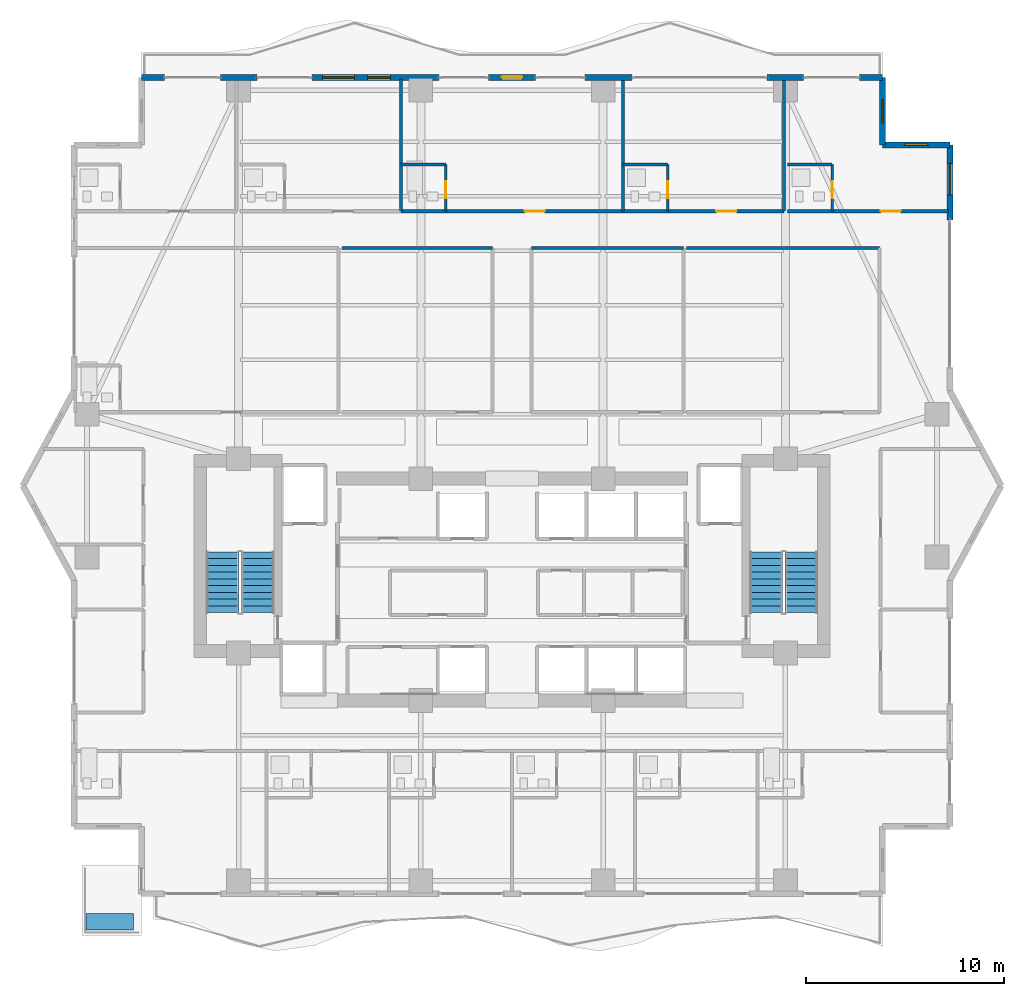
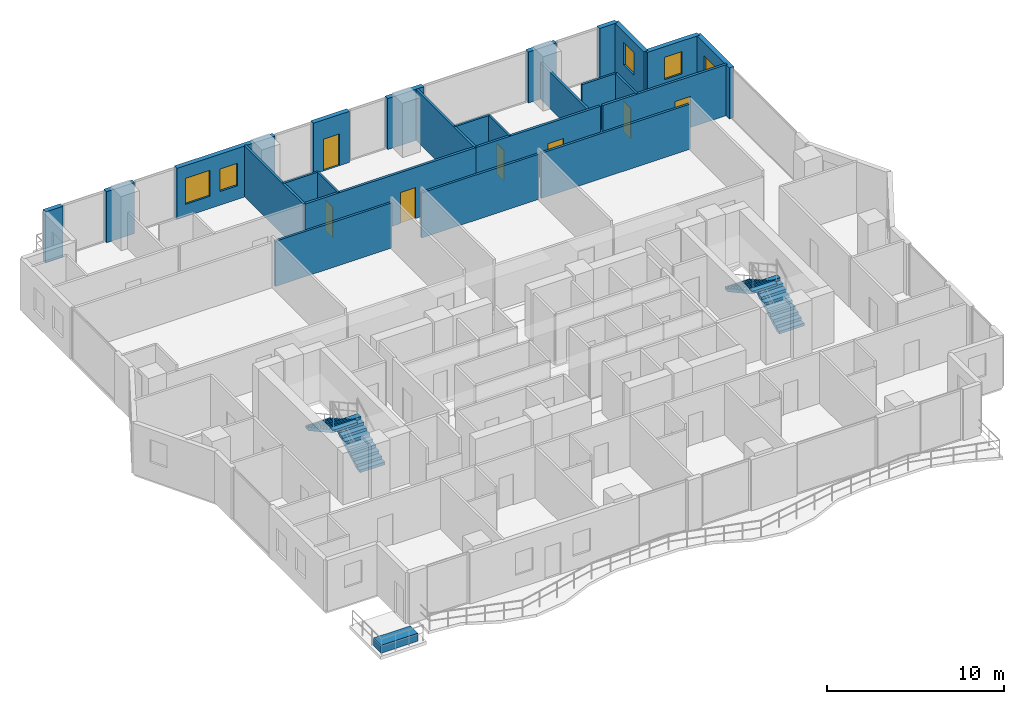
# One storey, part 28 of 32: 25 walls, 7 doors, 5 windows, 4 stair flights, 1 building element part, 12 openings, 2 elements without a shape of their own.
"""IFC4 building model written with IfcOpenShell, lengths in metres."""

from ifc_helpers import new_model, si_unit, direction, frame, frame_2d, origin, origin_2d, place, context, subcontext, project, spatial, polyline, rectangle, outline, extrude, material, layer, layer_set, type_object, element, fill, aggregate, save


model = new_model("IFC4")

# Units and contexts
model_context = context("Model", 3, precision=1e-05, world=origin(), true_north=direction((0.0, 1.0)))
body_context = subcontext(model_context, "Body", "Model", "MODEL_VIEW")
ifc_project = project(units=[si_unit("LENGTHUNIT", "METRE"), si_unit("AREAUNIT", "SQUARE_METRE"), si_unit("VOLUMEUNIT", "CUBIC_METRE"), si_unit("PLANEANGLEUNIT", "RADIAN"), si_unit("MASSUNIT", "GRAM", prefix="KILO")], contexts=[model_context])

# Site, building, storey
site_placement = place(None, origin())
site = spatial("IfcSite", under=ifc_project, at=site_placement, CompositionType="ELEMENT")
building_placement = place(site_placement, origin())
building = spatial("IfcBuilding", under=site, at=building_placement, Name="Zuhayl Quay Hotel", CompositionType="ELEMENT")
storey_placement = place(building_placement, frame((0.0, 0.0, 192.39990234375)))
storey = spatial("IfcBuildingStorey", under=building, at=storey_placement, Name="L48", CompositionType="ELEMENT", Elevation=192.39990234375)

# Walls
ifc_material_1 = material(Name="Precast concrete C45/55", Category="concrete")
ifc_layer_1 = layer(ifc_material_1, 0.300048828125, Name="Precast concrete C45/55", Category="concrete")
ifc_layer_set_1 = layer_set([ifc_layer_1], Name="Precast concrete C45/55")
wall_type_1 = type_object("IfcWallType", Name="WL_EXT_300", PredefinedType="STANDARD", material=ifc_layer_set_1)
wall_1_placement = place(storey_placement, frame((-18.699951171875, 33.60009765625, 0.0), z_axis=(0.0, 0.0, 1.0), x_axis=(1.0, 0.0, 0.0)))
element("IfcWall", 1, at=wall_1_placement, inside=storey, type_object=wall_type_1, Name="L48 Exterior Precast Wall ENV_L48_N_EW1", PredefinedType="STANDARD", context=body_context, shape_type="SweptSolid", body=[
    extrude(rectangle(XDim=1.14990234375, YDim=0.300048828125, at=frame_2d((0.574951171875, 0.0))), origin(), (0.0, 0.0, 1.0), 3.530029296875),
])
wall_2_placement = place(storey_placement, frame((-14.719970703125, 33.60009765625, 0.0), z_axis=(0.0, 0.0, 1.0), x_axis=(1.0, 0.0, 0.0)))
element("IfcWall", 2, at=wall_2_placement, inside=storey, type_object=wall_type_1, Name="L48 Exterior Precast Wall ENV_L48_N_EW2", PredefinedType="STANDARD", context=body_context, shape_type="SweptSolid", body=[
    extrude(rectangle(XDim=1.840087890625, YDim=0.300048828125, at=frame_2d((0.919921875, 0.0))), origin(), (0.0, 0.0, 1.0), 3.530029296875),
])

# Wall, openings, windows
wall_3_placement = place(storey_placement, frame((-10.10400390625, 33.60009765625, 0.0), z_axis=(0.0, 0.0, 1.0), x_axis=(1.0, 0.0, 0.0)))
wall_3 = element("IfcWall", 3, at=wall_3_placement, inside=storey, type_object=wall_type_1, Name="L48 Exterior Precast Wall ENV_L48_N_EW3", PredefinedType="STANDARD", context=body_context, shape_type="SweptSolid", body=[
    extrude(rectangle(XDim=6.424072265625, YDim=0.300048828125, at=frame_2d((3.2119140625, 0.0))), origin(), (0.0, 0.0, 1.0), 3.530029296875),
])
opening_1_placement = place(wall_3_placement, frame((0.550048828125, 0.0, 0.85009765625)))
opening_1 = element("IfcOpeningElement", 4, at=opening_1_placement, cuts=wall_3, Name="Opening W01", PredefinedType="OPENING", context=body_context, shape_type="SweptSolid", body=[
    extrude(rectangle(XDim=1.60009765625, YDim=1.800048828125, at=frame_2d((0.800048828125, 0.89990234375))), frame((0.0, 0.159912109375, 0.0), z_axis=(0.0, -1.0, 0.0), x_axis=(1.0, 0.0, 0.0)), (0.0, 0.0, 1.0), 0.320068359375),
])
opening_2_placement = place(wall_3_placement, frame((2.81689453125, 0.0, 0.949951171875)))
opening_2 = element("IfcOpeningElement", 5, at=opening_2_placement, cuts=wall_3, Name="Opening W01N", PredefinedType="OPENING", context=body_context, shape_type="SweptSolid", body=[
    extrude(rectangle(XDim=1.14990234375, YDim=1.550048828125, at=frame_2d((0.574951171875, 0.77490234375))), frame((0.0, 0.159912109375, 0.0), z_axis=(0.0, -1.0, 0.0), x_axis=(1.0, 0.0, 0.0)), (0.0, 0.0, 1.0), 0.320068359375),
])
ifc_material_2 = material(Name="Dark Ceramic-Fritted Solar Glass", Category="glass")
window_type_1 = type_object("IfcWindowType", Name="WN_NOTCH_1350", PartitioningType="SINGLE_PANEL", PredefinedType="WINDOW", material=ifc_material_2)
window_1_placement = place(opening_2_placement, origin())
window_1 = element("IfcWindow", 6, at=window_1_placement, inside=storey, type_object=window_type_1, Name="L48 Operable Facade Window 3-1", OverallHeight=1.550048828125, OverallWidth=1.14990234375, PartitioningType="SINGLE_PANEL", PredefinedType="WINDOW", context=body_context, shape_type="SweptSolid", body=[
    extrude(rectangle(XDim=1.14990234375, YDim=1.550048828125, at=frame_2d((0.574951171875, 0.77490234375))), frame((0.0, 0.030029296875, 0.0), z_axis=(0.0, -1.0, 0.0), x_axis=(1.0, 0.0, 0.0)), (0.0, 0.0, 1.0), 0.06005859375),
])
fill(opening_2, window_1)
window_type_2 = type_object("IfcWindowType", Name="WN_OPERABLE_1600", PartitioningType="DOUBLE_PANEL_VERTICAL", PredefinedType="WINDOW", material=ifc_material_2)
window_2_placement = place(opening_1_placement, origin())
window_2 = element("IfcWindow", 7, at=window_2_placement, inside=storey, type_object=window_type_2, Name="L48 North Operable Casement Window", OverallHeight=1.800048828125, OverallWidth=1.60009765625, PartitioningType="SINGLE_PANEL", PredefinedType="WINDOW", context=body_context, shape_type="SweptSolid", body=[
    extrude(rectangle(XDim=1.60009765625, YDim=1.800048828125, at=frame_2d((0.800048828125, 0.89990234375))), frame((0.0, 0.030029296875, 0.0), z_axis=(0.0, -1.0, 0.0), x_axis=(1.0, 0.0, 0.0)), (0.0, 0.0, 1.0), 0.06005859375),
])
fill(opening_1, window_2)

# Wall, opening, door
wall_4_placement = place(storey_placement, frame((-1.175048828125, 33.60009765625, 0.0), z_axis=(0.0, 0.0, 1.0), x_axis=(1.0, 0.0, 0.0)))
wall_4 = element("IfcWall", 8, at=wall_4_placement, inside=storey, type_object=wall_type_1, Name="L48 Exterior Precast Wall ENV_L48_N_EW4", PredefinedType="STANDARD", context=body_context, shape_type="SweptSolid", body=[
    extrude(rectangle(XDim=2.35009765625, YDim=0.300048828125, at=frame_2d((1.175048828125, 0.0))), origin(), (0.0, 0.0, 1.0), 3.530029296875),
])
opening_3_placement = place(wall_4_placement, frame((0.64990234375, 0.0, 0.0)))
opening_3 = element("IfcOpeningElement", 9, at=opening_3_placement, cuts=wall_4, Name="Opening DG1", PredefinedType="OPENING", context=body_context, shape_type="SweptSolid", body=[
    extrude(rectangle(XDim=1.050048828125, YDim=2.199951171875, at=frame_2d((0.52490234375, 1.10009765625))), frame((0.0, 0.159912109375, 0.0), z_axis=(0.0, -1.0, 0.0), x_axis=(1.0, 0.0, 0.0)), (0.0, 0.0, 1.0), 0.320068359375),
])
ifc_material_3 = material(Name="Anodised Aluminium and Dark Solar Glass", Category="aluminium")
door_type_1 = type_object("IfcDoorType", Name="DR_EXT_TERR_1050", OperationType="NOTDEFINED", PredefinedType="DOOR", material=ifc_material_3)
door_1_placement = place(opening_3_placement, origin())
door_1 = element("IfcDoor", 10, at=door_1_placement, inside=storey, type_object=door_type_1, Name="L48 North Rippling Balcony Door", OperationType="SINGLE_SWING_LEFT", OverallHeight=2.199951171875, OverallWidth=1.050048828125, PredefinedType="DOOR", context=body_context, shape_type="SweptSolid", body=[
    extrude(rectangle(XDim=1.050048828125, YDim=2.199951171875, at=frame_2d((0.52490234375, 1.10009765625))), frame((0.0, 0.02490234375, 0.0), z_axis=(0.0, -1.0, 0.0), x_axis=(1.0, 0.0, 0.0)), (0.0, 0.0, 1.0), 0.050048828125),
])
fill(opening_3, door_1)

# Walls
wall_5_placement = place(storey_placement, frame((3.679931640625, 33.60009765625, 0.0), z_axis=(0.0, 0.0, 1.0), x_axis=(1.0, 0.0, 0.0)))
element("IfcWall", 11, at=wall_5_placement, inside=storey, type_object=wall_type_1, Name="L48 Exterior Precast Wall ENV_L48_N_EW5", PredefinedType="STANDARD", context=body_context, shape_type="SweptSolid", body=[
    extrude(rectangle(XDim=2.3701171875, YDim=0.300048828125, at=frame_2d((1.18505859375, 0.0))), origin(), (0.0, 0.0, 1.0), 3.530029296875),
])
wall_6_placement = place(storey_placement, frame((12.8798828125, 33.60009765625, 0.0), z_axis=(0.0, 0.0, 1.0), x_axis=(1.0, 0.0, 0.0)))
element("IfcWall", 12, at=wall_6_placement, inside=storey, type_object=wall_type_1, Name="L48 Exterior Precast Wall ENV_L48_N_EW6", PredefinedType="STANDARD", context=body_context, shape_type="SweptSolid", body=[
    extrude(rectangle(XDim=1.840087890625, YDim=0.300048828125, at=frame_2d((0.919921875, 0.0))), origin(), (0.0, 0.0, 1.0), 3.530029296875),
])
wall_7_placement = place(storey_placement, frame((17.550048828125, 33.60009765625, 0.0), z_axis=(0.0, 0.0, 1.0), x_axis=(1.0, 0.0, 0.0)))
element("IfcWall", 13, at=wall_7_placement, inside=storey, type_object=wall_type_1, Name="L48 Exterior Precast Wall ENV_L48_N_EW7", PredefinedType="STANDARD", context=body_context, shape_type="SweptSolid", body=[
    extrude(rectangle(XDim=1.14990234375, YDim=0.300048828125, at=frame_2d((0.574951171875, 0.0))), origin(), (0.0, 0.0, 1.0), 3.530029296875),
])

# Wall, opening, window
wall_8_placement = place(storey_placement, frame((18.699951171875, 33.60009765625, 0.0), z_axis=(0.0, 0.0, 1.0), x_axis=(0.0, -1.0, 0.0)))
wall_8 = element("IfcWall", 14, at=wall_8_placement, inside=storey, type_object=wall_type_1, Name="L48 Exterior Precast Wall ENV_L48_EW09", PredefinedType="STANDARD", context=body_context, shape_type="SweptSolid", body=[
    extrude(rectangle(XDim=3.400146484375, YDim=0.300048828125, at=frame_2d((1.7001953125, 0.0))), origin(), (0.0, 0.0, 1.0), 3.530029296875),
])
opening_4_placement = place(wall_8_placement, frame((1.125, 0.0, 1.25)))
opening_4 = element("IfcOpeningElement", 15, at=opening_4_placement, cuts=wall_8, Name="Opening W01N", PredefinedType="OPENING", context=body_context, shape_type="SweptSolid", body=[
    extrude(rectangle(XDim=1.14990234375, YDim=1.550048828125, at=frame_2d((0.574951171875, 0.77490234375))), frame((0.0, 0.159912109375, 0.0), z_axis=(0.0, -1.0, 0.0), x_axis=(1.0, 0.0, 0.0)), (0.0, 0.0, 1.0), 0.320068359375),
])
window_3_placement = place(opening_4_placement, origin())
window_3 = element("IfcWindow", 16, at=window_3_placement, inside=storey, type_object=window_type_1, Name="L48 Corner Notch Window 9", OverallHeight=1.550048828125, OverallWidth=1.14990234375, PartitioningType="SINGLE_PANEL", PredefinedType="WINDOW", context=body_context, shape_type="SweptSolid", body=[
    extrude(rectangle(XDim=1.14990234375, YDim=1.550048828125, at=frame_2d((0.574951171875, 0.77490234375))), frame((0.0, 0.030029296875, 0.0), z_axis=(0.0, -1.0, 0.0), x_axis=(1.0, 0.0, 0.0)), (0.0, 0.0, 1.0), 0.06005859375),
])
fill(opening_4, window_3)

wall_9_placement = place(storey_placement, frame((18.699951171875, 30.199951171875, 0.0), z_axis=(0.0, 0.0, 1.0), x_axis=(1.0, 0.0, 0.0)))
wall_9 = element("IfcWall", 17, at=wall_9_placement, inside=storey, type_object=wall_type_1, Name="L48 Exterior Precast Wall ENV_L48_EW10", PredefinedType="STANDARD", context=body_context, shape_type="SweptSolid", body=[
    extrude(rectangle(XDim=3.400146484375, YDim=0.300048828125, at=frame_2d((1.7001953125, 0.0))), origin(), (0.0, 0.0, 1.0), 3.530029296875),
])
opening_5_placement = place(wall_9_placement, frame((1.125, 0.0, 1.25)))
opening_5 = element("IfcOpeningElement", 18, at=opening_5_placement, cuts=wall_9, Name="Opening W01N", PredefinedType="OPENING", context=body_context, shape_type="SweptSolid", body=[
    extrude(rectangle(XDim=1.14990234375, YDim=1.550048828125, at=frame_2d((0.574951171875, 0.77490234375))), frame((0.0, 0.159912109375, 0.0), z_axis=(0.0, -1.0, 0.0), x_axis=(1.0, 0.0, 0.0)), (0.0, 0.0, 1.0), 0.320068359375),
])
window_4_placement = place(opening_5_placement, origin())
window_4 = element("IfcWindow", 19, at=window_4_placement, inside=storey, type_object=window_type_1, Name="L48 Corner Notch Window 10", OverallHeight=1.550048828125, OverallWidth=1.14990234375, PartitioningType="SINGLE_PANEL", PredefinedType="WINDOW", context=body_context, shape_type="SweptSolid", body=[
    extrude(rectangle(XDim=1.14990234375, YDim=1.550048828125, at=frame_2d((0.574951171875, 0.77490234375))), frame((0.0, 0.030029296875, 0.0), z_axis=(0.0, -1.0, 0.0), x_axis=(1.0, 0.0, 0.0)), (0.0, 0.0, 1.0), 0.06005859375),
])
fill(opening_5, window_4)

wall_10_placement = place(storey_placement, frame((22.10009765625, 30.199951171875, 0.0), z_axis=(0.0, 0.0, 1.0), x_axis=(0.0, -1.0, 0.0)))
wall_10 = element("IfcWall", 20, at=wall_10_placement, inside=storey, type_object=wall_type_1, Name="L48 Exterior Precast Wall ENV_L48_E11_EW1", PredefinedType="STANDARD", context=body_context, shape_type="SweptSolid", body=[
    extrude(rectangle(XDim=3.800048828125, YDim=0.300048828125, at=frame_2d((1.89990234375, 0.0))), origin(), (0.0, 0.0, 1.0), 3.530029296875),
])
opening_6_placement = place(wall_10_placement, frame((0.93505859375, 0.0, 0.85009765625)))
opening_6 = element("IfcOpeningElement", 21, at=opening_6_placement, cuts=wall_10, Name="Opening W01", PredefinedType="OPENING", context=body_context, shape_type="SweptSolid", body=[
    extrude(rectangle(XDim=1.60009765625, YDim=1.800048828125, at=frame_2d((0.800048828125, 0.89990234375))), frame((0.0, 0.159912109375, 0.0), z_axis=(0.0, -1.0, 0.0), x_axis=(1.0, 0.0, 0.0)), (0.0, 0.0, 1.0), 0.320068359375),
])
window_5_placement = place(opening_6_placement, origin())
window_5 = element("IfcWindow", 22, at=window_5_placement, inside=storey, type_object=window_type_2, Name="L48 Operable Facade Window 1-1", OverallHeight=1.800048828125, OverallWidth=1.60009765625, PartitioningType="SINGLE_PANEL", PredefinedType="WINDOW", context=body_context, shape_type="SweptSolid", body=[
    extrude(rectangle(XDim=1.60009765625, YDim=1.800048828125, at=frame_2d((0.800048828125, 0.89990234375))), frame((0.0, 0.030029296875, 0.0), z_axis=(0.0, -1.0, 0.0), x_axis=(1.0, 0.0, 0.0)), (0.0, 0.0, 1.0), 0.06005859375),
])
fill(opening_6, window_5)

# Walls
ifc_material_4 = material(Name="Acoustic Gypsum Partition STC-58")
ifc_layer_2 = layer(ifc_material_4, 0.14990234375, Name="Acoustic Gypsum Partition STC-58")
ifc_layer_set_2 = layer_set([ifc_layer_2], Name="Acoustic Gypsum Partition STC-58")
wall_type_2 = type_object("IfcWallType", Name="WL_PART_150", PredefinedType="PARTITIONING", material=ifc_layer_set_2)
for number, where, z_axis, x_axis, name in (
    (23, (-5.60009765625, 26.85009765625, 0.0), (0.0, 0.0, 1.0), (0.0, 1.0, 0.0), "L48 Partition IW_L48_NU01B_E"),
    (24, (5.60009765625, 26.85009765625, 0.0), (0.0, 0.0, 1.0), (0.0, 1.0, 0.0), "L48 Partition IW_L48_NU02_E"),
):
    element("IfcWall", number, at=place(storey_placement, frame(where, z_axis=z_axis, x_axis=x_axis)), inside=storey, type_object=wall_type_2, Name=name, PredefinedType="PARTITIONING", context=body_context, shape_type="SweptSolid", body=[
        extrude(rectangle(XDim=6.669921875, YDim=0.14990234375, at=frame_2d((3.3349609375, 0.0))), origin(), (0.0, 0.0, 1.0), 3.530029296875),
    ])
wall_11_placement = place(storey_placement, frame((13.739990234375, 26.85009765625, 0.0), z_axis=(0.0, 0.0, 1.0), x_axis=(0.0, 1.0, 0.0)))
element("IfcWall", 25, at=wall_11_placement, inside=storey, type_object=wall_type_2, Name="L48 Partition IW_L48_NU03A_E", PredefinedType="PARTITIONING", context=body_context, shape_type="SweptSolid", body=[
    extrude(rectangle(XDim=6.669921875, YDim=0.14990234375, at=frame_2d((3.3349609375, 0.0))), origin(), (0.0, 0.0, 1.0), 2.51904296875),
])
wall_12_placement = place(storey_placement, frame((-8.590087890625, 25.0, 0.0), z_axis=(0.0, 0.0, 1.0), x_axis=(1.0, 0.0, 0.0)))
element("IfcWall", 26, at=wall_12_placement, inside=storey, type_object=wall_type_2, Name="L48 Partition IW_L48_Z3_SAL_M2_N", PredefinedType="PARTITIONING", context=body_context, shape_type="SweptSolid", body=[
    extrude(rectangle(XDim=7.610107421875, YDim=0.14990234375, at=frame_2d((3.80517578125, 0.0))), origin(), (0.0, 0.0, 1.0), 3.1240234375),
])
wall_13_placement = place(storey_placement, frame((0.97998046875, 25.0, 0.0), z_axis=(0.0, 0.0, 1.0), x_axis=(1.0, 0.0, 0.0)))
element("IfcWall", 27, at=wall_13_placement, inside=storey, type_object=wall_type_2, Name="L48 Partition IW_L48_Z3_SAL_E1_N", PredefinedType="PARTITIONING", context=body_context, shape_type="SweptSolid", body=[
    extrude(rectangle(XDim=7.669921875, YDim=0.14990234375, at=frame_2d((3.8349609375, 0.0))), origin(), (0.0, 0.0, 1.0), 3.1240234375),
])
wall_14_placement = place(storey_placement, frame((8.81005859375, 25.0, 0.0), z_axis=(0.0, 0.0, 1.0), x_axis=(1.0, 0.0, 0.0)))
element("IfcWall", 28, at=wall_14_placement, inside=storey, type_object=wall_type_2, Name="L48 Partition IW_L48_Z3_SAL_E2_N", PredefinedType="PARTITIONING", context=body_context, shape_type="SweptSolid", body=[
    extrude(rectangle(XDim=9.739990234375, YDim=0.14990234375, at=frame_2d((4.8701171875, 0.0))), origin(), (0.0, 0.0, 1.0), 3.1240234375),
])

# Wall, opening, door
ifc_layer_3 = layer(ifc_material_4, 0.159912109375, Name="Acoustic Gypsum Partition STC-58")
ifc_layer_set_3 = layer_set([ifc_layer_3], Name="Acoustic Gypsum Partition STC-58")
wall_type_3 = type_object("IfcWallType", Name="WL_PART_CORR_160", PredefinedType="PARTITIONING", material=ifc_layer_set_3)
wall_15_placement = place(storey_placement, frame((-5.60009765625, 26.85009765625, 0.0), z_axis=(0.0, 0.0, 1.0), x_axis=(1.0, 0.0, 0.0)))
wall_15 = element("IfcWall", 29, at=wall_15_placement, inside=storey, type_object=wall_type_3, Name="L48 Partition IW_L48_NU02_COR", PredefinedType="PARTITIONING", context=body_context, shape_type="SweptSolid", body=[
    extrude(rectangle(XDim=11.2001953125, YDim=0.159912109375, at=frame_2d((5.60009765625, 0.0))), origin(), (0.0, 0.0, 1.0), 3.530029296875),
])
opening_7_placement = place(wall_15_placement, frame((6.25, 0.0, 0.0)))
opening_7 = element("IfcOpeningElement", 30, at=opening_7_placement, cuts=wall_15, Name="Opening D03L", PredefinedType="OPENING", context=body_context, shape_type="SweptSolid", body=[
    extrude(rectangle(XDim=1.0, YDim=2.14990234375, at=frame_2d((0.5, 1.074951171875))), frame((0.0, 0.08984375, 0.0), z_axis=(0.0, -1.0, 0.0), x_axis=(1.0, 0.0, 0.0)), (0.0, 0.0, 1.0), 0.179931640625),
])
ifc_material_5 = material(Name="Solid Walnut Acoustic Fire Door")
door_type_2 = type_object("IfcDoorType", Name="DR_SUITE_1000", OperationType="NOTDEFINED", PredefinedType="DOOR", material=ifc_material_5)
door_2_placement = place(opening_7_placement, origin())
door_2 = element("IfcDoor", 31, at=door_2_placement, inside=storey, type_object=door_type_2, Name="L48 Panoramic Gulf Suite L48-02 Entrance Door", OperationType="SINGLE_SWING_RIGHT", OverallHeight=2.14990234375, OverallWidth=1.0, PredefinedType="DOOR", context=body_context, shape_type="SweptSolid", body=[
    extrude(rectangle(XDim=1.0, YDim=2.14990234375, at=frame_2d((0.5, 1.074951171875))), frame((0.0, 0.02490234375, 0.0), z_axis=(0.0, -1.0, 0.0), x_axis=(1.0, 0.0, 0.0)), (0.0, 0.0, 1.0), 0.050048828125),
])
fill(opening_7, door_2)

wall_16_placement = place(storey_placement, frame((5.60009765625, 26.85009765625, 0.0), z_axis=(0.0, 0.0, 1.0), x_axis=(1.0, 0.0, 0.0)))
wall_16 = element("IfcWall", 32, at=wall_16_placement, inside=storey, type_object=wall_type_3, Name="L48 Partition IW_L48_NU03A_COR", PredefinedType="PARTITIONING", context=body_context, shape_type="SweptSolid", body=[
    extrude(rectangle(XDim=8.139892578125, YDim=0.159912109375, at=frame_2d((4.06982421875, 0.0))), origin(), (0.0, 0.0, 1.0), 3.530029296875),
])
opening_8_placement = place(wall_16_placement, frame((4.719970703125, 0.0, 0.0)))
opening_8 = element("IfcOpeningElement", 33, at=opening_8_placement, cuts=wall_16, Name="Opening D03L", PredefinedType="OPENING", context=body_context, shape_type="SweptSolid", body=[
    extrude(rectangle(XDim=1.0, YDim=2.14990234375, at=frame_2d((0.5, 1.074951171875))), frame((0.0, 0.08984375, 0.0), z_axis=(0.0, -1.0, 0.0), x_axis=(1.0, 0.0, 0.0)), (0.0, 0.0, 1.0), 0.179931640625),
])
door_3_placement = place(opening_8_placement, origin())
door_3 = element("IfcDoor", 34, at=door_3_placement, inside=storey, type_object=door_type_2, Name="L48 Panoramic Gulf Suite L48-03A Entrance Door", OperationType="SINGLE_SWING_RIGHT", OverallHeight=2.14990234375, OverallWidth=1.0, PredefinedType="DOOR", context=body_context, shape_type="SweptSolid", body=[
    extrude(rectangle(XDim=1.0, YDim=2.14990234375, at=frame_2d((0.5, 1.074951171875))), frame((0.0, 0.02490234375, 0.0), z_axis=(0.0, -1.0, 0.0), x_axis=(1.0, 0.0, 0.0)), (0.0, 0.0, 1.0), 0.050048828125),
])
fill(opening_8, door_3)

wall_17_placement = place(storey_placement, frame((13.89990234375, 26.85009765625, 0.0), z_axis=(0.0, 0.0, 1.0), x_axis=(1.0, 0.0, 0.0)))
wall_17 = element("IfcWall", 35, at=wall_17_placement, inside=storey, type_object=wall_type_3, Name="L48 Partition IW_L48_NU03B_COR", PredefinedType="PARTITIONING", context=body_context, shape_type="SweptSolid", body=[
    extrude(rectangle(XDim=8.14013671875, YDim=0.159912109375, at=frame_2d((4.070068359375, 0.0))), origin(), (0.0, 0.0, 1.0), 3.530029296875),
])
opening_9_placement = place(wall_17_placement, frame((4.719970703125, 0.0, 0.0)))
opening_9 = element("IfcOpeningElement", 36, at=opening_9_placement, cuts=wall_17, Name="Opening D03L", PredefinedType="OPENING", context=body_context, shape_type="SweptSolid", body=[
    extrude(rectangle(XDim=1.0, YDim=2.14990234375, at=frame_2d((0.5, 1.074951171875))), frame((0.0, 0.08984375, 0.0), z_axis=(0.0, -1.0, 0.0), x_axis=(1.0, 0.0, 0.0)), (0.0, 0.0, 1.0), 0.179931640625),
])
door_4_placement = place(opening_9_placement, origin())
door_4 = element("IfcDoor", 37, at=door_4_placement, inside=storey, type_object=door_type_2, Name="L48 Panoramic Gulf Suite L48-03B Entrance Door", OperationType="SINGLE_SWING_RIGHT", OverallHeight=2.14990234375, OverallWidth=1.0, PredefinedType="DOOR", context=body_context, shape_type="SweptSolid", body=[
    extrude(rectangle(XDim=1.0, YDim=2.14990234375, at=frame_2d((0.5, 1.074951171875))), frame((0.0, 0.02490234375, 0.0), z_axis=(0.0, -1.0, 0.0), x_axis=(1.0, 0.0, 0.0)), (0.0, 0.0, 1.0), 0.050048828125),
])
fill(opening_9, door_4)

ifc_material_6 = material(Name="Moisture-Resistant Sanitarychase Gypsum")
ifc_layer_4 = layer(ifc_material_6, 0.135009765625, Name="Moisture-Resistant Sanitarychase Gypsum")
ifc_layer_set_4 = layer_set([ifc_layer_4], Name="Moisture-Resistant Sanitarychase Gypsum")
wall_type_4 = type_object("IfcWallType", Name="WL_PART_PLUMB_150", PredefinedType="PLUMBINGWALL", material=ifc_layer_set_4)
wall_18_placement = place(storey_placement, frame((-3.340087890625, 26.85009765625, 0.0), z_axis=(0.0, 0.0, 1.0), x_axis=(0.0, 1.0, 0.0)))
wall_18 = element("IfcWall", 38, at=wall_18_placement, inside=storey, type_object=wall_type_4, Name="L48 Partition IW_L48_NU02_BE", PredefinedType="PLUMBINGWALL", context=body_context, shape_type="SweptSolid", body=[
    extrude(rectangle(XDim=2.35986328125, YDim=0.135009765625, at=frame_2d((1.179931640625, 0.0))), origin(), (0.0, 0.0, 1.0), 3.530029296875),
])
opening_10_placement = place(wall_18_placement, frame((0.64990234375, 0.0, 0.0)))
opening_10 = element("IfcOpeningElement", 39, at=opening_10_placement, cuts=wall_18, Name="Opening D04", PredefinedType="OPENING", context=body_context, shape_type="SweptSolid", body=[
    extrude(rectangle(XDim=0.85009765625, YDim=2.10009765625, at=frame_2d((0.425048828125, 1.050048828125))), frame((0.0, 0.077392578125, 0.0), z_axis=(0.0, -1.0, 0.0), x_axis=(1.0, 0.0, 0.0)), (0.0, 0.0, 1.0), 0.155029296875),
])
ifc_material_7 = material(Name="Moisture-Resistant Walnut Veneer")
door_type_3 = type_object("IfcDoorType", Name="DR_BATH_850", OperationType="NOTDEFINED", PredefinedType="DOOR", material=ifc_material_7)
door_5_placement = place(opening_10_placement, origin())
door_5 = element("IfcDoor", 40, at=door_5_placement, inside=storey, type_object=door_type_3, Name="L48 Panoramic Gulf Suite L48-02 En-Suite Door", OperationType="SINGLE_SWING_LEFT", OverallHeight=2.10009765625, OverallWidth=0.85009765625, PredefinedType="DOOR", context=body_context, shape_type="SweptSolid", body=[
    extrude(rectangle(XDim=0.85009765625, YDim=2.10009765625, at=frame_2d((0.425048828125, 1.050048828125))), frame((0.0, 0.02490234375, 0.0), z_axis=(0.0, -1.0, 0.0), x_axis=(1.0, 0.0, 0.0)), (0.0, 0.0, 1.0), 0.050048828125),
])
fill(opening_10, door_5)

wall_19_placement = place(storey_placement, frame((7.860107421875, 26.85009765625, 0.0), z_axis=(0.0, 0.0, 1.0), x_axis=(0.0, 1.0, 0.0)))
wall_19 = element("IfcWall", 41, at=wall_19_placement, inside=storey, type_object=wall_type_4, Name="L48 Partition IW_L48_NU03A_BE", PredefinedType="PLUMBINGWALL", context=body_context, shape_type="SweptSolid", body=[
    extrude(rectangle(XDim=2.35986328125, YDim=0.135009765625, at=frame_2d((1.179931640625, 0.0))), origin(), (0.0, 0.0, 1.0), 3.530029296875),
])
opening_11_placement = place(wall_19_placement, frame((0.64990234375, 0.0, 0.0)))
opening_11 = element("IfcOpeningElement", 42, at=opening_11_placement, cuts=wall_19, Name="Opening D04", PredefinedType="OPENING", context=body_context, shape_type="SweptSolid", body=[
    extrude(rectangle(XDim=0.85009765625, YDim=2.10009765625, at=frame_2d((0.425048828125, 1.050048828125))), frame((0.0, 0.077392578125, 0.0), z_axis=(0.0, -1.0, 0.0), x_axis=(1.0, 0.0, 0.0)), (0.0, 0.0, 1.0), 0.155029296875),
])
door_6_placement = place(opening_11_placement, origin())
door_6 = element("IfcDoor", 43, at=door_6_placement, inside=storey, type_object=door_type_3, Name="L48 Panoramic Gulf Suite L48-03A En-Suite Door", OperationType="SINGLE_SWING_LEFT", OverallHeight=2.10009765625, OverallWidth=0.85009765625, PredefinedType="DOOR", context=body_context, shape_type="SweptSolid", body=[
    extrude(rectangle(XDim=0.85009765625, YDim=2.10009765625, at=frame_2d((0.425048828125, 1.050048828125))), frame((0.0, 0.02490234375, 0.0), z_axis=(0.0, -1.0, 0.0), x_axis=(1.0, 0.0, 0.0)), (0.0, 0.0, 1.0), 0.050048828125),
])
fill(opening_11, door_6)

wall_20_placement = place(storey_placement, frame((16.159912109375, 26.85009765625, 0.0), z_axis=(0.0, 0.0, 1.0), x_axis=(0.0, 1.0, 0.0)))
wall_20 = element("IfcWall", 44, at=wall_20_placement, inside=storey, type_object=wall_type_4, Name="L48 Partition IW_L48_NU03B_BE", PredefinedType="PLUMBINGWALL", context=body_context, shape_type="SweptSolid", body=[
    extrude(rectangle(XDim=2.35986328125, YDim=0.135009765625, at=frame_2d((1.179931640625, 0.0))), origin(), (0.0, 0.0, 1.0), 3.530029296875),
])
opening_12_placement = place(wall_20_placement, frame((0.64990234375, 0.0, 0.0)))
opening_12 = element("IfcOpeningElement", 45, at=opening_12_placement, cuts=wall_20, Name="Opening D04", PredefinedType="OPENING", context=body_context, shape_type="SweptSolid", body=[
    extrude(rectangle(XDim=0.85009765625, YDim=2.10009765625, at=frame_2d((0.425048828125, 1.050048828125))), frame((0.0, 0.077392578125, 0.0), z_axis=(0.0, -1.0, 0.0), x_axis=(1.0, 0.0, 0.0)), (0.0, 0.0, 1.0), 0.155029296875),
])
door_7_placement = place(opening_12_placement, origin())
door_7 = element("IfcDoor", 46, at=door_7_placement, inside=storey, type_object=door_type_3, Name="L48 Panoramic Gulf Suite L48-03B En-Suite Door", OperationType="SINGLE_SWING_LEFT", OverallHeight=2.10009765625, OverallWidth=0.85009765625, PredefinedType="DOOR", context=body_context, shape_type="SweptSolid", body=[
    extrude(rectangle(XDim=0.85009765625, YDim=2.10009765625, at=frame_2d((0.425048828125, 1.050048828125))), frame((0.0, 0.02490234375, 0.0), z_axis=(0.0, -1.0, 0.0), x_axis=(1.0, 0.0, 0.0)), (0.0, 0.0, 1.0), 0.050048828125),
])
fill(opening_12, door_7)

# Walls
for number, where, z_axis, x_axis, name in (
    (47, (-5.60009765625, 29.2099609375, 0.0), (0.0, 0.0, 1.0), (1.0, 0.0, 0.0), "L48 Partition IW_L48_NU02_BN"),
    (48, (5.60009765625, 29.2099609375, 0.0), (0.0, 0.0, 1.0), (1.0, 0.0, 0.0), "L48 Partition IW_L48_NU03A_BN"),
    (49, (13.89990234375, 29.2099609375, 0.0), (0.0, 0.0, 1.0), (1.0, 0.0, 0.0), "L48 Partition IW_L48_NU03B_BN"),
):
    element("IfcWall", number, at=place(storey_placement, frame(where, z_axis=z_axis, x_axis=x_axis)), inside=storey, type_object=wall_type_4, Name=name, PredefinedType="PLUMBINGWALL", context=body_context, shape_type="SweptSolid", body=[
        extrude(rectangle(XDim=2.260009765625, YDim=0.135009765625, at=frame_2d((1.1298828125, 0.0))), origin(), (0.0, 0.0, 1.0), 3.530029296875),
    ])

# Stair, stair flights
ifc_material_8 = material(Name="Concrete C45/55", Category="concrete")
stair_type = type_object("IfcStairType", Name="ST_DOGLEG_TOWER", PredefinedType="HALF_TURN_STAIR", material=ifc_material_8)
stair_1_placement = place(storey_placement, origin())
stair_1 = element("IfcStair", 50, at=stair_1_placement, inside=storey, type_object=stair_type, Name="L48 Smokeproof Exit Stair ST1", PredefinedType="HALF_TURN_STAIR")
ifc_layer_5 = layer(ifc_material_8, 0.159912109375, Name="Concrete C45/55", Category="concrete")
ifc_layer_set_5 = layer_set([ifc_layer_5], Name="Concrete C45/55")
stair_flight_type = type_object("IfcStairFlightType", Name="SF_CONC_164", PredefinedType="STRAIGHT", material=ifc_layer_set_5)
stair_flight_1_placement = place(storey_placement, frame((-12.820068359375, 6.590087890625, 0.0), z_axis=(0.0, 0.0, 1.0), x_axis=(0.0, 1.0, 0.0)))
stair_flight_1 = element("IfcStairFlight", 51, at=stair_flight_1_placement, type_object=stair_flight_type, Name="ST1 flight 1", NumberOfRisers=10, NumberOfTreads=9, PredefinedType="STRAIGHT", RiserHeight=0.1875, TreadLength=0.34, context=body_context, shape_type="SweptSolid", body=[
    extrude(outline(polyline([(0.0, 0.0), (0.0, 0.1875), (0.340087890625, 0.1875), (0.340087890625, 0.375), (0.679931640625, 0.375), (0.679931640625, 0.5625), (1.02001953125, 0.5625), (1.02001953125, 0.75), (1.360107421875, 0.75), (1.360107421875, 0.9375), (1.699951171875, 0.9375), (1.699951171875, 1.125), (2.0400390625, 1.125), (2.0400390625, 1.3125), (2.3798828125, 1.3125), (2.3798828125, 1.5), (2.719970703125, 1.5), (2.719970703125, 1.6875), (3.06005859375, 1.6875), (3.06005859375, 1.875), (3.06005859375, 1.516357421875), (0.310302734375, 0.0), (0.0, 0.0)])), frame((0.0, 0.81982421875, 0.0), z_axis=(0.0, -1.0, 0.0), x_axis=(1.0, 0.0, 0.0)), (0.0, 0.0, 1.0), 1.639892578125),
])
stair_flight_2_placement = place(storey_placement, frame((-14.610107421875, 9.64990234375, 1.875), z_axis=(0.0, 0.0, 1.0), x_axis=(0.0, -1.0, 0.0)))
stair_flight_2 = element("IfcStairFlight", 52, at=stair_flight_2_placement, type_object=stair_flight_type, Name="ST1 flight 2", NumberOfRisers=10, NumberOfTreads=9, PredefinedType="STRAIGHT", RiserHeight=0.1875, TreadLength=0.34, context=body_context, shape_type="SweptSolid", body=[
    extrude(outline(polyline([(0.0, 0.0), (0.0, 0.1875), (0.340087890625, 0.1875), (0.340087890625, 0.375), (0.679931640625, 0.375), (0.679931640625, 0.5625), (1.02001953125, 0.5625), (1.02001953125, 0.75), (1.360107421875, 0.75), (1.360107421875, 0.9375), (1.699951171875, 0.9375), (1.699951171875, 1.125), (2.0400390625, 1.125), (2.0400390625, 1.3125), (2.3798828125, 1.3125), (2.3798828125, 1.5), (2.719970703125, 1.5), (2.719970703125, 1.6875), (3.06005859375, 1.6875), (3.06005859375, 1.875), (3.06005859375, 1.516357421875), (0.310302734375, 0.0), (0.0, 0.0)])), frame((0.0, 0.81982421875, 0.0), z_axis=(0.0, -1.0, 0.0), x_axis=(1.0, 0.0, 0.0)), (0.0, 0.0, 1.0), 1.639892578125),
])
aggregate(stair_1, [stair_flight_1, stair_flight_2])

stair_2_placement = place(storey_placement, origin())
stair_2 = element("IfcStair", 53, at=stair_2_placement, inside=storey, type_object=stair_type, Name="L48 Smokeproof Exit Stair ST2", PredefinedType="HALF_TURN_STAIR")
stair_flight_3_placement = place(storey_placement, frame((14.610107421875, 6.590087890625, 0.0), z_axis=(0.0, 0.0, 1.0), x_axis=(0.0, 1.0, 0.0)))
stair_flight_3 = element("IfcStairFlight", 54, at=stair_flight_3_placement, type_object=stair_flight_type, Name="ST2 flight 1", NumberOfRisers=10, NumberOfTreads=9, PredefinedType="STRAIGHT", RiserHeight=0.1875, TreadLength=0.34, context=body_context, shape_type="SweptSolid", body=[
    extrude(outline(polyline([(0.0, 0.0), (0.0, 0.1875), (0.340087890625, 0.1875), (0.340087890625, 0.375), (0.679931640625, 0.375), (0.679931640625, 0.5625), (1.02001953125, 0.5625), (1.02001953125, 0.75), (1.360107421875, 0.75), (1.360107421875, 0.9375), (1.699951171875, 0.9375), (1.699951171875, 1.125), (2.0400390625, 1.125), (2.0400390625, 1.3125), (2.3798828125, 1.3125), (2.3798828125, 1.5), (2.719970703125, 1.5), (2.719970703125, 1.6875), (3.06005859375, 1.6875), (3.06005859375, 1.875), (3.06005859375, 1.516357421875), (0.310302734375, 0.0), (0.0, 0.0)])), frame((0.0, 0.81982421875, 0.0), z_axis=(0.0, -1.0, 0.0), x_axis=(1.0, 0.0, 0.0)), (0.0, 0.0, 1.0), 1.639892578125),
])
stair_flight_4_placement = place(storey_placement, frame((12.820068359375, 9.64990234375, 1.875), z_axis=(0.0, 0.0, 1.0), x_axis=(0.0, -1.0, 0.0)))
stair_flight_4 = element("IfcStairFlight", 55, at=stair_flight_4_placement, type_object=stair_flight_type, Name="ST2 flight 2", NumberOfRisers=10, NumberOfTreads=9, PredefinedType="STRAIGHT", RiserHeight=0.1875, TreadLength=0.34, context=body_context, shape_type="SweptSolid", body=[
    extrude(outline(polyline([(0.0, 0.0), (0.0, 0.1875), (0.340087890625, 0.1875), (0.340087890625, 0.375), (0.679931640625, 0.375), (0.679931640625, 0.5625), (1.02001953125, 0.5625), (1.02001953125, 0.75), (1.360107421875, 0.75), (1.360107421875, 0.9375), (1.699951171875, 0.9375), (1.699951171875, 1.125), (2.0400390625, 1.125), (2.0400390625, 1.3125), (2.3798828125, 1.3125), (2.3798828125, 1.5), (2.719970703125, 1.5), (2.719970703125, 1.6875), (3.06005859375, 1.6875), (3.06005859375, 1.875), (3.06005859375, 1.516357421875), (0.310302734375, 0.0), (0.0, 0.0)])), frame((0.0, 0.81982421875, 0.0), z_axis=(0.0, -1.0, 0.0), x_axis=(1.0, 0.0, 0.0)), (0.0, 0.0, 1.0), 1.639892578125),
])
aggregate(stair_2, [stair_flight_3, stair_flight_4])

# Building element part
ifc_layer_6 = layer(ifc_material_1, 0.550048828125, Name="Precast concrete C45/55", Category="concrete")
ifc_layer_set_6 = layer_set([ifc_layer_6], Name="Precast concrete C45/55")
building_element_part_type = type_object("IfcBuildingElementPartType", Name="PT_PLANTER_KERB", PredefinedType="PRECASTPANEL", material=ifc_layer_set_6)
building_element_part_placement = place(storey_placement, frame((-20.31005859375, -9.010009765625, 0.0), z_axis=(0.0, 0.0, 1.0), x_axis=(1.0, 0.0, 0.0)))
element("IfcBuildingElementPart", 56, at=building_element_part_placement, inside=storey, type_object=building_element_part_type, Name="L48 Spiral Sky-Terrace Planter Box SW", PredefinedType="PRECASTPANEL", context=body_context, shape_type="SweptSolid", body=[
    extrude(rectangle(XDim=2.39990234375, YDim=0.85009765625, at=origin_2d()), origin(), (0.0, 0.0, 1.0), 0.550048828125),
])

save(model, "model.ifc")
